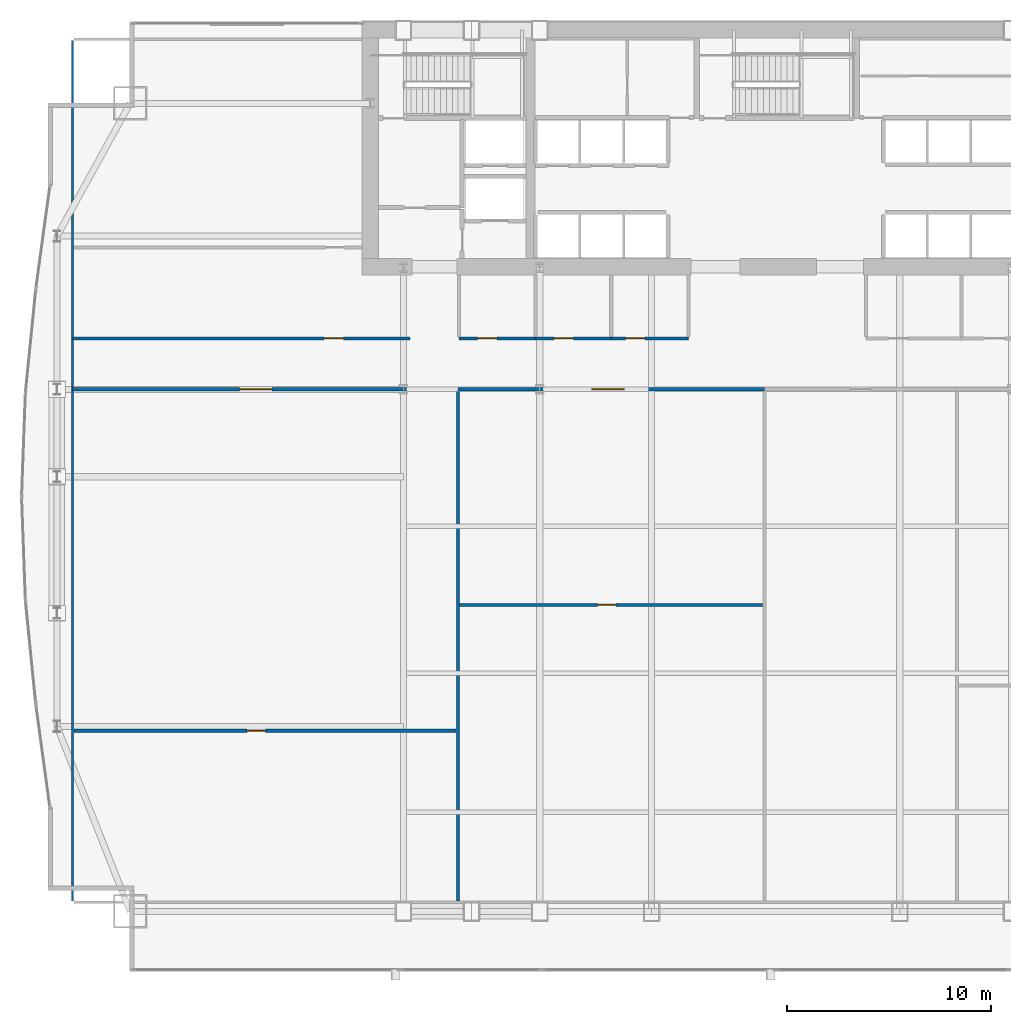
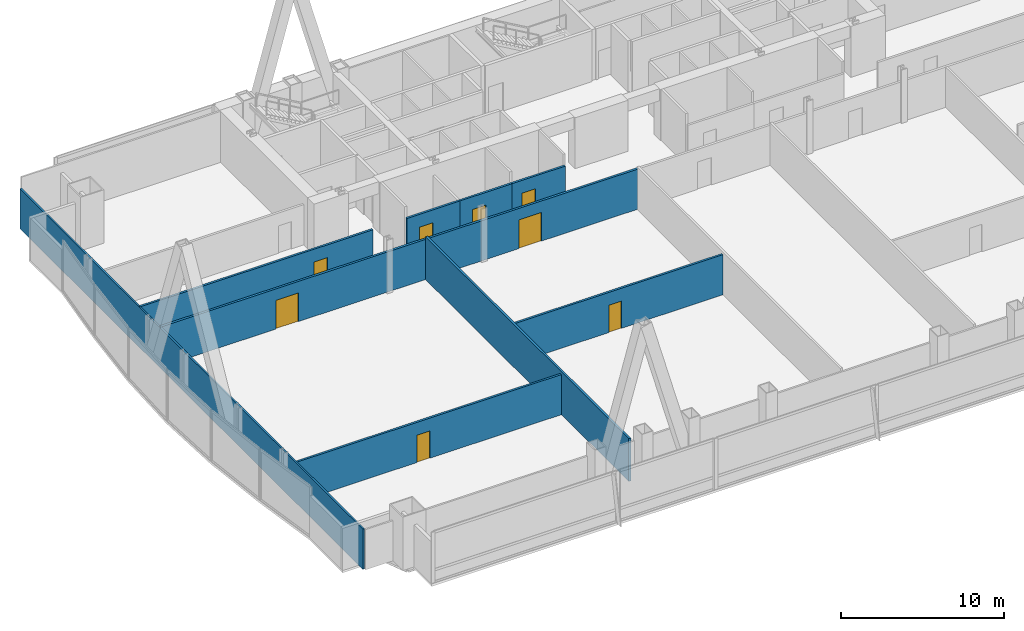
# One storey, part 28 of 35: 10 walls, 8 doors, 8 openings.
"""IFC4 building model written with IfcOpenShell, lengths in metres."""

from ifc_helpers import new_model, si_unit, direction, frame, frame_2d, origin, place, context, subcontext, project, spatial, rectangle, extrude, material, layer, layer_set, type_object, element, fill, save


model = new_model("IFC4")

# Units and contexts
model_context = context("Model", 3, precision=1e-05, world=origin(), true_north=direction((0.0, 1.0)))
body_context = subcontext(model_context, "Body", "Model", "MODEL_VIEW")
ifc_project = project(units=[si_unit("LENGTHUNIT", "METRE"), si_unit("AREAUNIT", "SQUARE_METRE"), si_unit("VOLUMEUNIT", "CUBIC_METRE"), si_unit("PLANEANGLEUNIT", "RADIAN"), si_unit("MASSUNIT", "GRAM", prefix="KILO")], contexts=[model_context])

# Site, building, storey
site_placement = place(None, origin())
site = spatial("IfcSite", under=ifc_project, at=site_placement, CompositionType="ELEMENT")
building_placement = place(site_placement, origin())
building = spatial("IfcBuilding", under=site, at=building_placement, Name="Khoronbel Lancet Exchange", CompositionType="ELEMENT")
storey_placement = place(building_placement, frame((0.0, 0.0, 37.800048828125)))
storey = spatial("IfcBuildingStorey", under=building, at=storey_placement, Name="L08", CompositionType="ELEMENT", Elevation=37.800048828125)

# Wall, opening, door
ifc_material_1 = material(Name="Acoustic Metal-Stud & Mineral-Wool Gypsum Partition 120 mm", Category="gypsum")
ifc_layer_1 = layer(ifc_material_1, 0.1201171875, Name="Acoustic Metal-Stud & Mineral-Wool Gypsum Partition 120 mm")
ifc_layer_set_1 = layer_set([ifc_layer_1], Name="Acoustic Metal-Stud & Mineral-Wool Gypsum Partition 120 mm")
wall_type_1 = type_object("IfcWallType", Name="WL-PRT120", PredefinedType="PARTITIONING", material=ifc_layer_set_1)
wall_1_placement = place(storey_placement, frame((2.094970703125, 18.991455078125, 0.0), z_axis=(0.0, 0.0, 1.0), x_axis=(1.0, 0.0, 0.0)))
wall_1 = element("IfcWall", 1, at=wall_1_placement, inside=storey, type_object=wall_type_1, Name="Level L08 interior partition PW-Z1S-H1", PredefinedType="PARTITIONING", context=body_context, shape_type="SweptSolid", body=[
    extrude(rectangle(XDim=18.716064453125, YDim=0.14990234375, at=frame_2d((9.35791015625, 0.0))), origin(), (0.0, 0.0, 1.0), 3.010009765625),
])
opening_1_placement = place(wall_1_placement, frame((8.4873046875, 0.0, 0.0)))
opening_1 = element("IfcOpeningElement", 2, at=opening_1_placement, cuts=wall_1, Name="Opening D5", PredefinedType="OPENING", context=body_context, shape_type="SweptSolid", body=[
    extrude(rectangle(XDim=0.89990234375, YDim=2.050048828125, at=frame_2d((0.449951171875, 1.02490234375))), frame((0.0, 0.0849609375, 0.0), z_axis=(0.0, -1.0, 0.0), x_axis=(1.0, 0.0, 0.0)), (0.0, 0.0, 1.0), 0.169921875),
])
ifc_material_2 = material(Name="Acoustic Timber Pantry & Support Door", Category="wood")
door_type_1 = type_object("IfcDoorType", Name="DR-D5", OperationType="NOTDEFINED", PredefinedType="DOOR", material=ifc_material_2)
door_1_placement = place(opening_1_placement, origin())
door_1 = element("IfcDoor", 3, at=door_1_placement, inside=storey, type_object=door_type_1, Name="Z1S inner door 1 L08-1", OperationType="SINGLE_SWING_RIGHT", OverallHeight=2.050048828125, OverallWidth=0.89990234375, PredefinedType="DOOR", context=body_context, shape_type="SweptSolid", body=[
    extrude(rectangle(XDim=0.89990234375, YDim=2.050048828125, at=frame_2d((0.449951171875, 1.02490234375))), frame((0.0, 0.02490234375, 0.0), z_axis=(0.0, -1.0, 0.0), x_axis=(1.0, 0.0, 0.0)), (0.0, 0.0, 1.0), 0.050048828125),
])
fill(opening_1, door_1)

wall_2_placement = place(storey_placement, frame((20.970947265625, 25.1484375, 0.0), z_axis=(0.0, 0.0, 1.0), x_axis=(1.0, 0.0, 0.0)))
wall_2 = element("IfcWall", 4, at=wall_2_placement, inside=storey, type_object=wall_type_1, Name="Level L08 interior partition PW-Z1S-H2", PredefinedType="PARTITIONING", context=body_context, shape_type="SweptSolid", body=[
    extrude(rectangle(XDim=14.840576171875, YDim=0.14990234375, at=frame_2d((7.42041015625, 0.0))), origin(), (0.0, 0.0, 1.0), 3.010009765625),
])
opening_2_placement = place(wall_2_placement, frame((6.750244140625, 0.0, 0.0)))
opening_2 = element("IfcOpeningElement", 5, at=opening_2_placement, cuts=wall_2, Name="Opening D5", PredefinedType="OPENING", context=body_context, shape_type="SweptSolid", body=[
    extrude(rectangle(XDim=0.89990234375, YDim=2.050048828125, at=frame_2d((0.449951171875, 1.02490234375))), frame((0.0, 0.0849609375, 0.0), z_axis=(0.0, -1.0, 0.0), x_axis=(1.0, 0.0, 0.0)), (0.0, 0.0, 1.0), 0.169921875),
])
door_2_placement = place(opening_2_placement, origin())
door_2 = element("IfcDoor", 6, at=door_2_placement, inside=storey, type_object=door_type_1, Name="Z1S inner door 2 L08-1", OperationType="SINGLE_SWING_LEFT", OverallHeight=2.050048828125, OverallWidth=0.89990234375, PredefinedType="DOOR", context=body_context, shape_type="SweptSolid", body=[
    extrude(rectangle(XDim=0.89990234375, YDim=2.050048828125, at=frame_2d((0.449951171875, 1.02490234375))), frame((0.0, 0.02490234375, 0.0), z_axis=(0.0, -1.0, 0.0), x_axis=(1.0, 0.0, 0.0)), (0.0, 0.0, 1.0), 0.050048828125),
])
fill(opening_2, door_2)

# Wall
wall_3_placement = place(storey_placement, frame((2.030029296875, 10.6650390625, 0.0), z_axis=(0.0, 0.0, 1.0), x_axis=(0.0, 1.0, 0.0)))
element("IfcWall", 7, at=wall_3_placement, inside=storey, type_object=wall_type_1, Name="Level L08 interior partition PW-LIN-W", PredefinedType="PARTITIONING", context=body_context, shape_type="SweptSolid", body=[
    extrude(rectangle(XDim=42.10986328125, YDim=0.1201171875, at=frame_2d((21.054931640625, 0.0))), origin(), (0.0, 0.0, 1.0), 3.010009765625),
])

# Wall, opening, door
ifc_material_3 = material(Name="Fire-Rated Twin-Stud Acoustic Gypsum Partition 150 mm", Category="gypsum")
ifc_layer_2 = layer(ifc_material_3, 0.14990234375, Name="Fire-Rated Twin-Stud Acoustic Gypsum Partition 150 mm")
ifc_layer_set_2 = layer_set([ifc_layer_2], Name="Fire-Rated Twin-Stud Acoustic Gypsum Partition 150 mm")
wall_type_2 = type_object("IfcWallType", Name="WL-PRT150C", PredefinedType="PARTITIONING", material=ifc_layer_set_2)
wall_4_placement = place(storey_placement, frame((20.949951171875, 38.199951171875, 0.0), z_axis=(0.0, 0.0, 1.0), x_axis=(1.0, 0.0, 0.0)))
wall_4 = element("IfcWall", 8, at=wall_4_placement, inside=storey, type_object=wall_type_2, Name="Level L08 interior partition PW-WC-S1", PredefinedType="PARTITIONING", context=body_context, shape_type="SweptSolid", body=[
    extrude(rectangle(XDim=3.75, YDim=0.14990234375, at=frame_2d((1.875, 0.0))), origin(), (0.0, 0.0, 1.0), 3.010009765625),
])
opening_3_placement = place(wall_4_placement, frame((0.89990234375, 0.0, 0.0)))
opening_3 = element("IfcOpeningElement", 9, at=opening_3_placement, cuts=wall_4, Name="Opening D4", PredefinedType="OPENING", context=body_context, shape_type="SweptSolid", body=[
    extrude(rectangle(XDim=0.949951171875, YDim=2.050048828125, at=frame_2d((0.47509765625, 1.02490234375))), frame((0.0, 0.0849609375, 0.0), z_axis=(0.0, -1.0, 0.0), x_axis=(1.0, 0.0, 0.0)), (0.0, 0.0, 1.0), 0.169921875),
])
ifc_material_4 = material(Name="Moisture-Resistant HPL Washroom Door", Category="wood")
door_type_2 = type_object("IfcDoorType", Name="DR-D4", OperationType="NOTDEFINED", PredefinedType="DOOR", material=ifc_material_4)
door_3_placement = place(opening_3_placement, origin())
door_3 = element("IfcDoor", 10, at=door_3_placement, inside=storey, type_object=door_type_2, Name="Male washroom door L08-1", OperationType="SINGLE_SWING_LEFT", OverallHeight=2.050048828125, OverallWidth=0.949951171875, PredefinedType="DOOR", context=body_context, shape_type="SweptSolid", body=[
    extrude(rectangle(XDim=0.949951171875, YDim=2.050048828125, at=frame_2d((0.47509765625, 1.02490234375))), frame((0.0, 0.02490234375, 0.0), z_axis=(0.0, -1.0, 0.0), x_axis=(1.0, 0.0, 0.0)), (0.0, 0.0, 1.0), 0.050048828125),
])
fill(opening_3, door_3)

wall_5_placement = place(storey_placement, frame((24.699951171875, 38.199951171875, 0.0), z_axis=(0.0, 0.0, 1.0), x_axis=(1.0, 0.0, 0.0)))
wall_5 = element("IfcWall", 11, at=wall_5_placement, inside=storey, type_object=wall_type_2, Name="Level L08 interior partition PW-WC-S2", PredefinedType="PARTITIONING", context=body_context, shape_type="SweptSolid", body=[
    extrude(rectangle(XDim=3.699951171875, YDim=0.14990234375, at=frame_2d((1.85009765625, 0.0))), origin(), (0.0, 0.0, 1.0), 3.010009765625),
])
opening_4_placement = place(wall_5_placement, frame((0.89990234375, 0.0, 0.0)))
opening_4 = element("IfcOpeningElement", 12, at=opening_4_placement, cuts=wall_5, Name="Opening D4", PredefinedType="OPENING", context=body_context, shape_type="SweptSolid", body=[
    extrude(rectangle(XDim=0.949951171875, YDim=2.050048828125, at=frame_2d((0.47509765625, 1.02490234375))), frame((0.0, 0.0849609375, 0.0), z_axis=(0.0, -1.0, 0.0), x_axis=(1.0, 0.0, 0.0)), (0.0, 0.0, 1.0), 0.169921875),
])
door_4_placement = place(opening_4_placement, origin())
door_4 = element("IfcDoor", 13, at=door_4_placement, inside=storey, type_object=door_type_2, Name="Female washroom door L08-1", OperationType="SINGLE_SWING_RIGHT", OverallHeight=2.050048828125, OverallWidth=0.949951171875, PredefinedType="DOOR", context=body_context, shape_type="SweptSolid", body=[
    extrude(rectangle(XDim=0.949951171875, YDim=2.050048828125, at=frame_2d((0.47509765625, 1.02490234375))), frame((0.0, 0.02490234375, 0.0), z_axis=(0.0, -1.0, 0.0), x_axis=(1.0, 0.0, 0.0)), (0.0, 0.0, 1.0), 0.050048828125),
])
fill(opening_4, door_4)

wall_6_placement = place(storey_placement, frame((28.39990234375, 38.199951171875, 0.0), z_axis=(0.0, 0.0, 1.0), x_axis=(1.0, 0.0, 0.0)))
wall_6 = element("IfcWall", 14, at=wall_6_placement, inside=storey, type_object=wall_type_2, Name="Level L08 interior partition PW-WC-S3", PredefinedType="PARTITIONING", context=body_context, shape_type="SweptSolid", body=[
    extrude(rectangle(XDim=3.780029296875, YDim=0.14990234375, at=frame_2d((1.89013671875, 0.0))), origin(), (0.0, 0.0, 1.0), 3.010009765625),
])
opening_5_placement = place(wall_6_placement, frame((0.699951171875, 0.0, 0.0)))
opening_5 = element("IfcOpeningElement", 15, at=opening_5_placement, cuts=wall_6, Name="Opening D4", PredefinedType="OPENING", context=body_context, shape_type="SweptSolid", body=[
    extrude(rectangle(XDim=0.949951171875, YDim=2.050048828125, at=frame_2d((0.47509765625, 1.02490234375))), frame((0.0, 0.0849609375, 0.0), z_axis=(0.0, -1.0, 0.0), x_axis=(1.0, 0.0, 0.0)), (0.0, 0.0, 1.0), 0.169921875),
])
door_5_placement = place(opening_5_placement, origin())
door_5 = element("IfcDoor", 16, at=door_5_placement, inside=storey, type_object=door_type_2, Name="Accessible WC door L08-1", OperationType="SINGLE_SWING_LEFT", OverallHeight=2.050048828125, OverallWidth=0.949951171875, PredefinedType="DOOR", context=body_context, shape_type="SweptSolid", body=[
    extrude(rectangle(XDim=0.949951171875, YDim=2.050048828125, at=frame_2d((0.47509765625, 1.02490234375))), frame((0.0, 0.02490234375, 0.0), z_axis=(0.0, -1.0, 0.0), x_axis=(1.0, 0.0, 0.0)), (0.0, 0.0, 1.0), 0.050048828125),
])
fill(opening_5, door_5)

wall_7_placement = place(storey_placement, frame((2.030029296875, 38.199951171875, 0.0), z_axis=(0.0, 0.0, 1.0), x_axis=(1.0, 0.0, 0.0)))
wall_7 = element("IfcWall", 17, at=wall_7_placement, inside=storey, type_object=wall_type_2, Name="Level L08 interior partition PW-NW-S", PredefinedType="PARTITIONING", context=body_context, shape_type="SweptSolid", body=[
    extrude(rectangle(XDim=16.52001953125, YDim=0.14990234375, at=frame_2d((8.260009765625, 0.0))), origin(), (0.0, 0.0, 1.0), 3.010009765625),
])
opening_6_placement = place(wall_7_placement, frame((12.320068359375, 0.0, 0.0)))
opening_6 = element("IfcOpeningElement", 18, at=opening_6_placement, cuts=wall_7, Name="Opening D1", PredefinedType="OPENING", context=body_context, shape_type="SweptSolid", body=[
    extrude(rectangle(XDim=0.949951171875, YDim=2.050048828125, at=frame_2d((0.47509765625, 1.02490234375))), frame((0.0, 0.0849609375, 0.0), z_axis=(0.0, -1.0, 0.0), x_axis=(1.0, 0.0, 0.0)), (0.0, 0.0, 1.0), 0.169921875),
])
ifc_material_5 = material(Name="Acoustic Veneered Timber & Bronze Frame Door", Category="wood")
door_type_3 = type_object("IfcDoorType", Name="DR-D1", OperationType="NOTDEFINED", PredefinedType="DOOR", material=ifc_material_5)
door_6_placement = place(opening_6_placement, origin())
door_6 = element("IfcDoor", 19, at=door_6_placement, inside=storey, type_object=door_type_3, Name="NW corner room door L08-1", OperationType="SINGLE_SWING_RIGHT", OverallHeight=2.050048828125, OverallWidth=0.949951171875, PredefinedType="DOOR", context=body_context, shape_type="SweptSolid", body=[
    extrude(rectangle(XDim=0.949951171875, YDim=2.050048828125, at=frame_2d((0.47509765625, 1.02490234375))), frame((0.0, 0.02490234375, 0.0), z_axis=(0.0, -1.0, 0.0), x_axis=(1.0, 0.0, 0.0)), (0.0, 0.0, 1.0), 0.050048828125),
])
fill(opening_6, door_6)

# Wall
wall_8_placement = place(storey_placement, frame((20.89111328125, 10.6650390625, 0.0), z_axis=(0.0, 0.0, 1.0), x_axis=(0.0, 1.0, 0.0)))
element("IfcWall", 20, at=wall_8_placement, inside=storey, type_object=wall_type_2, Name="Level L08 interior partition PW-Z1S-V1", PredefinedType="PARTITIONING", context=body_context, shape_type="SweptSolid", body=[
    extrude(rectangle(XDim=24.949951171875, YDim=0.14990234375, at=frame_2d((12.47509765625, 0.0))), origin(), (0.0, 0.0, 1.0), 3.2099609375),
])

# Wall, opening, door
ifc_material_6 = material(Name="Fire-Rated Twin-Stud Acoustic Gypsum Partition 160 mm", Category="gypsum")
ifc_layer_3 = layer(ifc_material_6, 0.159912109375, Name="Fire-Rated Twin-Stud Acoustic Gypsum Partition 160 mm")
ifc_layer_set_3 = layer_set([ifc_layer_3], Name="Fire-Rated Twin-Stud Acoustic Gypsum Partition 160 mm")
wall_type_3 = type_object("IfcWallType", Name="WL-PRT160C", PredefinedType="PARTITIONING", material=ifc_layer_set_3)
wall_9_placement = place(storey_placement, frame((2.030029296875, 35.699951171875, 0.0), z_axis=(0.0, 0.0, 1.0), x_axis=(1.0, 0.0, 0.0)))
wall_9 = element("IfcWall", 21, at=wall_9_placement, inside=storey, type_object=wall_type_3, Name="Level L08 interior partition PW-Z1S-COR1", PredefinedType="PARTITIONING", context=body_context, shape_type="SweptSolid", body=[
    extrude(rectangle(XDim=18.861083984375, YDim=0.159912109375, at=frame_2d((9.4306640625, 0.0))), origin(), (0.0, 0.0, 1.0), 3.010009765625),
])
opening_7_placement = place(wall_9_placement, frame((8.171630859375, 0.0, 0.0)))
opening_7 = element("IfcOpeningElement", 22, at=opening_7_placement, cuts=wall_9, Name="Opening D3", PredefinedType="OPENING", context=body_context, shape_type="SweptSolid", body=[
    extrude(rectangle(XDim=1.60009765625, YDim=2.14990234375, at=frame_2d((0.800048828125, 1.074951171875))), frame((0.0, 0.08984375, 0.0), z_axis=(0.0, -1.0, 0.0), x_axis=(1.0, 0.0, 0.0)), (0.0, 0.0, 1.0), 0.179931640625),
])
ifc_material_7 = material(Name="Glazed Bronze-Framed Double Suite Door", Category="aluminium")
door_type_4 = type_object("IfcDoorType", Name="DR-D3", OperationType="NOTDEFINED", PredefinedType="DOOR", material=ifc_material_7)
door_7_placement = place(opening_7_placement, origin())
door_7 = element("IfcDoor", 23, at=door_7_placement, inside=storey, type_object=door_type_4, Name="Z1S bay 1 door L08-1", OperationType="DOUBLE_DOOR_SINGLE_SWING", OverallHeight=2.14990234375, OverallWidth=1.60009765625, PredefinedType="DOOR", context=body_context, shape_type="SweptSolid", body=[
    extrude(rectangle(XDim=1.60009765625, YDim=2.14990234375, at=frame_2d((0.800048828125, 1.074951171875))), frame((0.0, 0.02490234375, 0.0), z_axis=(0.0, -1.0, 0.0), x_axis=(1.0, 0.0, 0.0)), (0.0, 0.0, 1.0), 0.050048828125),
])
fill(opening_7, door_7)

wall_10_placement = place(storey_placement, frame((20.89111328125, 35.699951171875, 0.0), z_axis=(0.0, 0.0, 1.0), x_axis=(1.0, 0.0, 0.0)))
wall_10 = element("IfcWall", 24, at=wall_10_placement, inside=storey, type_object=wall_type_3, Name="Level L08 interior partition PW-Z1S-COR2", PredefinedType="PARTITIONING", context=body_context, shape_type="SweptSolid", body=[
    extrude(rectangle(XDim=15.00048828125, YDim=0.159912109375, at=frame_2d((7.500244140625, 0.0))), origin(), (0.0, 0.0, 1.0), 3.010009765625),
])
opening_8_placement = place(wall_10_placement, frame((6.55029296875, 0.0, 0.0)))
opening_8 = element("IfcOpeningElement", 25, at=opening_8_placement, cuts=wall_10, Name="Opening D3", PredefinedType="OPENING", context=body_context, shape_type="SweptSolid", body=[
    extrude(rectangle(XDim=1.60009765625, YDim=2.14990234375, at=frame_2d((0.800048828125, 1.074951171875))), frame((0.0, 0.08984375, 0.0), z_axis=(0.0, -1.0, 0.0), x_axis=(1.0, 0.0, 0.0)), (0.0, 0.0, 1.0), 0.179931640625),
])
door_8_placement = place(opening_8_placement, origin())
door_8 = element("IfcDoor", 26, at=door_8_placement, inside=storey, type_object=door_type_4, Name="Z1S bay 2 door L08-1", OperationType="DOUBLE_DOOR_SINGLE_SWING", OverallHeight=2.14990234375, OverallWidth=1.60009765625, PredefinedType="DOOR", context=body_context, shape_type="SweptSolid", body=[
    extrude(rectangle(XDim=1.60009765625, YDim=2.14990234375, at=frame_2d((0.800048828125, 1.074951171875))), frame((0.0, 0.02490234375, 0.0), z_axis=(0.0, -1.0, 0.0), x_axis=(1.0, 0.0, 0.0)), (0.0, 0.0, 1.0), 0.050048828125),
])
fill(opening_8, door_8)

save(model, "model.ifc")
